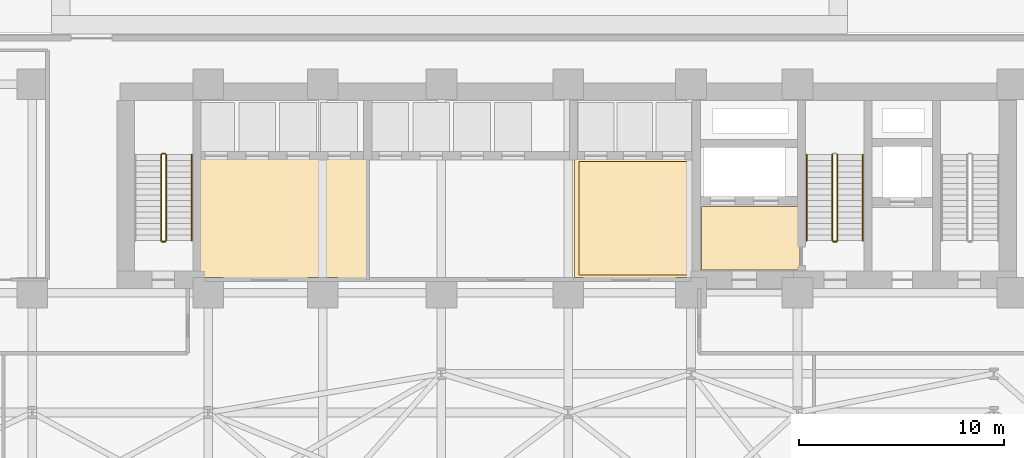
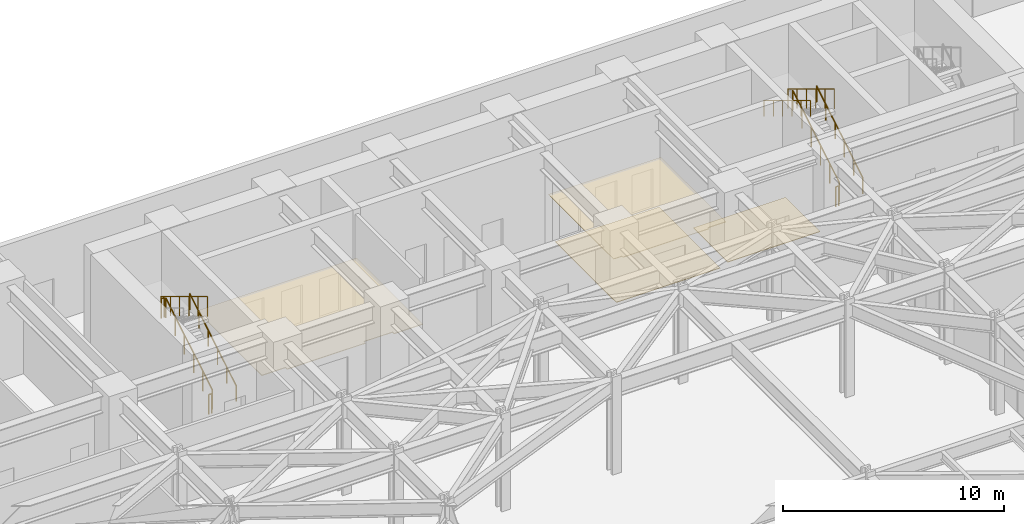
# One storey, part 29 of 31: 10 railings, 4 coverings.
"""IFC4 building model written with IfcOpenShell, lengths in metres."""

from ifc_helpers import new_model, si_unit, direction, frame, origin, origin_2d, place, context, subcontext, project, spatial, polyline, circle, outline, extrude, material, layer, layer_set, type_object, element, save


model = new_model("IFC4")

# Units and contexts
model_context = context("Model", 3, precision=1e-05, world=origin(), true_north=direction((0.0, 1.0)))
body_context = subcontext(model_context, "Body", "Model", "MODEL_VIEW")
ifc_project = project(units=[si_unit("LENGTHUNIT", "METRE"), si_unit("AREAUNIT", "SQUARE_METRE"), si_unit("VOLUMEUNIT", "CUBIC_METRE"), si_unit("PLANEANGLEUNIT", "RADIAN"), si_unit("MASSUNIT", "GRAM", prefix="KILO")], contexts=[model_context])

# Site, building, storey
site_placement = place(None, origin())
site = spatial("IfcSite", under=ifc_project, at=site_placement, CompositionType="ELEMENT")
building_placement = place(site_placement, origin())
building = spatial("IfcBuilding", under=site, at=building_placement, Name="Kravanh Interchange Tower", CompositionType="ELEMENT")
storey_placement = place(building_placement, origin())
storey = spatial("IfcBuildingStorey", under=building, at=storey_placement, Name="L00", CompositionType="ELEMENT", Elevation=0.0)

# Coverings
ifc_material_1 = material(Name="Cementitious Terrazzo Tile")
ifc_layer_1 = layer(ifc_material_1, 0.030029296875)
ifc_layer_set_1 = layer_set([ifc_layer_1], Name="Honed Terrazzo Lobby Flooring 30mm")
covering_type_1 = type_object("IfcCoveringType", Name="Honed Terrazzo Lobby Flooring 30mm", PredefinedType="FLOORING", material=ifc_layer_set_1)
covering_1_placement = place(storey_placement, origin())
element("IfcCovering", 1, at=covering_1_placement, inside=storey, type_object=covering_type_1, Name="L00 Firefighting Lobby Floor Finish", PredefinedType="FLOORING", context=body_context, shape_type="SweptSolid", body=[
    extrude(outline(polyline([(56.1201171875, 38.4599609375), (51.300048828125, 38.4599609375), (51.300048828125, 41.580078125), (56.1201171875, 41.580078125), (56.1201171875, 38.4599609375)])), origin(), (0.0, 0.0, 1.0), 0.030029296875),
])
covering_2_placement = place(storey_placement, origin())
element("IfcCovering", 2, at=covering_2_placement, inside=storey, type_object=covering_type_1, Name="L00 High-Rise Lift Lobby Floor Finish", PredefinedType="FLOORING", context=body_context, shape_type="SweptSolid", body=[
    extrude(outline(polyline([(45.330078125, 43.77001953125), (50.77001953125, 43.77001953125), (50.77001953125, 38.22998046875), (45.330078125, 38.22998046875), (45.330078125, 43.77001953125)])), origin(), (0.0, 0.0, 1.0), 0.030029296875),
])
ifc_material_2 = material(Name="Anodised Bronze Aluminium Acoustic Baffle", Category="aluminium")
ifc_layer_2 = layer(ifc_material_2, 0.034912109375)
ifc_layer_set_2 = layer_set([ifc_layer_2], Name="Linear Bronze Baffle Feature Ceiling 35mm")
covering_type_2 = type_object("IfcCoveringType", Name="Linear Bronze Baffle Feature Ceiling 35mm", PredefinedType="CEILING", material=ifc_layer_set_2)
covering_3_placement = place(storey_placement, frame((0.0, 0.0, 2.550048828125)))
element("IfcCovering", 3, at=covering_3_placement, inside=storey, type_object=covering_type_2, Name="L00 High-Rise Lift Lobby Suspended Ceiling", PredefinedType="CEILING", context=body_context, shape_type="SweptSolid", body=[
    extrude(outline(polyline([(50.989990234375, 38.10009765625), (50.050048828125, 38.10009765625), (50.050048828125, 38.010009765625), (45.550048828125, 38.010009765625), (45.550048828125, 38.10009765625), (45.110107421875, 38.10009765625), (45.110107421875, 43.989990234375), (50.989990234375, 43.989990234375), (50.989990234375, 38.10009765625)])), origin(), (0.0, 0.0, 1.0), 0.034912109375),
])
covering_4_placement = place(storey_placement, frame((0.0, 0.0, 2.550048828125)))
element("IfcCovering", 4, at=covering_4_placement, inside=storey, type_object=covering_type_2, Name="L00 Low-Rise Lift Lobby Suspended Ceiling", PredefinedType="CEILING", context=body_context, shape_type="SweptSolid", body=[
    extrude(outline(polyline([(35.06005859375, 37.9599609375), (33.550048828125, 37.9599609375), (33.550048828125, 38.10009765625), (32.050048828125, 38.10009765625), (32.050048828125, 37.9599609375), (27.949951171875, 37.9599609375), (27.949951171875, 38.10009765625), (26.7099609375, 38.10009765625), (26.7099609375, 43.989990234375), (35.06005859375, 43.989990234375), (35.06005859375, 37.9599609375)])), origin(), (0.0, 0.0, 1.0), 0.034912109375),
])

# Railings
ifc_material_3 = material(Name="Structural Steel S355", Category="steel")
ifc_layer_3 = layer(ifc_material_3, 0.050048828125)
ifc_layer_set_3 = layer_set([ifc_layer_3], Name="Stair Well Guardrail Structural Steel S355 1100mm")
railing_type_1 = type_object("IfcRailingType", Name="Stair Well Guardrail Structural Steel S355 1100mm", PredefinedType="GUARDRAIL", material=ifc_layer_set_3)
railing_1_placement = place(storey_placement, frame((57.949951171875, 39.89990234375, 0.168701171875)))
element("IfcRailing", 5, at=railing_1_placement, inside=storey, type_object=railing_type_1, Name="L00 ST2 stair guard 1", PredefinedType="GUARDRAIL", context=body_context, shape_type="SweptSolid", body=[
    extrude(circle(Radius=0.02392578125, at=origin_2d()), frame((0.0, 0.0, 1.076171875), z_axis=(0.0, 0.856489757249, 0.516164020179), x_axis=(-1.0, 0.0, 0.0)), (0.0, 0.0, 1.0), 4.904052734375),
    extrude(circle(Radius=0.02099609375, at=origin_2d()), origin(), (0.0, 0.0, 1.0), 1.052001953125),
    extrude(circle(Radius=0.02099609375, at=origin_2d()), frame((0.0, 0.840087890625, 0.50634765625)), (0.0, 0.0, 1.0), 1.052001953125),
    extrude(circle(Radius=0.02099609375, at=origin_2d()), frame((0.0, 1.68017578125, 1.012451171875)), (0.0, 0.0, 1.0), 1.052001953125),
    extrude(circle(Radius=0.02099609375, at=origin_2d()), frame((0.0, 2.52001953125, 1.518798828125)), (0.0, 0.0, 1.0), 1.052001953125),
    extrude(circle(Radius=0.02099609375, at=origin_2d()), frame((0.0, 3.360107421875, 2.02490234375)), (0.0, 0.0, 1.0), 1.052001953125),
    extrude(circle(Radius=0.02099609375, at=origin_2d()), frame((0.0, 4.2001953125, 2.53125)), (0.0, 0.0, 1.0), 1.052001953125),
])
railing_2_placement = place(storey_placement, frame((57.699951171875, 44.10009765625, 2.86865234375)))
element("IfcRailing", 6, at=railing_2_placement, inside=storey, type_object=railing_type_1, Name="L00 ST2 stair guard 3", PredefinedType="GUARDRAIL", context=body_context, shape_type="SweptSolid", body=[
    extrude(circle(Radius=0.02392578125, at=origin_2d()), frame((0.0, 0.0, 1.076171875), z_axis=(0.0, -0.856489757249, 0.516164020179), x_axis=(1.0, 0.0, 0.0)), (0.0, 0.0, 1.0), 4.904052734375),
    extrude(circle(Radius=0.02099609375, at=origin_2d()), origin(), (0.0, 0.0, 1.0), 1.052001953125),
    extrude(circle(Radius=0.02099609375, at=origin_2d()), frame((0.0, -0.840087890625, 0.50634765625)), (0.0, 0.0, 1.0), 1.052001953125),
    extrude(circle(Radius=0.02099609375, at=origin_2d()), frame((0.0, -1.68017578125, 1.012451171875)), (0.0, 0.0, 1.0), 1.052001953125),
    extrude(circle(Radius=0.02099609375, at=origin_2d()), frame((0.0, -2.52001953125, 1.518798828125)), (0.0, 0.0, 1.0), 1.052001953125),
    extrude(circle(Radius=0.02099609375, at=origin_2d()), frame((0.0, -3.360107421875, 2.02490234375)), (0.0, 0.0, 1.0), 1.052001953125),
    extrude(circle(Radius=0.02099609375, at=origin_2d()), frame((0.0, -4.2001953125, 2.53125)), (0.0, 0.0, 1.0), 1.052001953125),
])
railing_3_placement = place(storey_placement, frame((57.89990234375, 39.85009765625, 0.0)))
element("IfcRailing", 7, at=railing_3_placement, inside=storey, type_object=railing_type_1, Name="L00 ST2 stair guard 4", PredefinedType="GUARDRAIL", context=body_context, shape_type="SweptSolid", body=[
    extrude(circle(Radius=0.02392578125, at=origin_2d()), frame((0.0, 0.0, 1.076171875), z_axis=(-1.0, 0.0, 0.0), x_axis=(0.0, -1.0, 0.0)), (0.0, 0.0, 1.0), 0.14990234375),
    extrude(circle(Radius=0.02099609375, at=origin_2d()), origin(), (0.0, 0.0, 1.0), 1.052001953125),
    extrude(circle(Radius=0.02099609375, at=origin_2d()), frame((-0.14990234375, 0.0, 0.0)), (0.0, 0.0, 1.0), 1.052001953125),
])
railing_4_placement = place(storey_placement, frame((25.14990234375, 39.89990234375, 0.168701171875)))
element("IfcRailing", 8, at=railing_4_placement, inside=storey, type_object=railing_type_1, Name="L00 ST3 stair guard 1", PredefinedType="GUARDRAIL", context=body_context, shape_type="SweptSolid", body=[
    extrude(circle(Radius=0.02392578125, at=origin_2d()), frame((0.0, 0.0, 1.076171875), z_axis=(0.0, 0.856489757249, 0.516164020179), x_axis=(-1.0, 0.0, 0.0)), (0.0, 0.0, 1.0), 4.904052734375),
    extrude(circle(Radius=0.02099609375, at=origin_2d()), origin(), (0.0, 0.0, 1.0), 1.052001953125),
    extrude(circle(Radius=0.02099609375, at=origin_2d()), frame((0.0, 0.840087890625, 0.50634765625)), (0.0, 0.0, 1.0), 1.052001953125),
    extrude(circle(Radius=0.02099609375, at=origin_2d()), frame((0.0, 1.68017578125, 1.012451171875)), (0.0, 0.0, 1.0), 1.052001953125),
    extrude(circle(Radius=0.02099609375, at=origin_2d()), frame((0.0, 2.52001953125, 1.518798828125)), (0.0, 0.0, 1.0), 1.052001953125),
    extrude(circle(Radius=0.02099609375, at=origin_2d()), frame((0.0, 3.360107421875, 2.02490234375)), (0.0, 0.0, 1.0), 1.052001953125),
    extrude(circle(Radius=0.02099609375, at=origin_2d()), frame((0.0, 4.2001953125, 2.53125)), (0.0, 0.0, 1.0), 1.052001953125),
])
railing_5_placement = place(storey_placement, frame((25.10009765625, 44.14990234375, 2.699951171875)))
element("IfcRailing", 9, at=railing_5_placement, inside=storey, type_object=railing_type_1, Name="L00 ST3 stair guard 2", PredefinedType="GUARDRAIL", context=body_context, shape_type="SweptSolid", body=[
    extrude(circle(Radius=0.02392578125, at=origin_2d()), frame((0.0, 0.0, 1.076171875), z_axis=(-1.0, 0.0, 0.0), x_axis=(0.0, -1.0, 0.0)), (0.0, 0.0, 1.0), 0.150146484375),
    extrude(circle(Radius=0.02099609375, at=origin_2d()), origin(), (0.0, 0.0, 1.0), 1.052001953125),
    extrude(circle(Radius=0.02099609375, at=origin_2d()), frame((-0.150146484375, 0.0, 0.0)), (0.0, 0.0, 1.0), 1.052001953125),
])
railing_6_placement = place(storey_placement, frame((24.89990234375, 44.10009765625, 2.86865234375)))
element("IfcRailing", 10, at=railing_6_placement, inside=storey, type_object=railing_type_1, Name="L00 ST3 stair guard 3", PredefinedType="GUARDRAIL", context=body_context, shape_type="SweptSolid", body=[
    extrude(circle(Radius=0.02392578125, at=origin_2d()), frame((0.0, 0.0, 1.076171875), z_axis=(0.0, -0.856489757249, 0.516164020179), x_axis=(1.0, 0.0, 0.0)), (0.0, 0.0, 1.0), 4.904052734375),
    extrude(circle(Radius=0.02099609375, at=origin_2d()), origin(), (0.0, 0.0, 1.0), 1.052001953125),
    extrude(circle(Radius=0.02099609375, at=origin_2d()), frame((0.0, -0.840087890625, 0.50634765625)), (0.0, 0.0, 1.0), 1.052001953125),
    extrude(circle(Radius=0.02099609375, at=origin_2d()), frame((0.0, -1.68017578125, 1.012451171875)), (0.0, 0.0, 1.0), 1.052001953125),
    extrude(circle(Radius=0.02099609375, at=origin_2d()), frame((0.0, -2.52001953125, 1.518798828125)), (0.0, 0.0, 1.0), 1.052001953125),
    extrude(circle(Radius=0.02099609375, at=origin_2d()), frame((0.0, -3.360107421875, 2.02490234375)), (0.0, 0.0, 1.0), 1.052001953125),
    extrude(circle(Radius=0.02099609375, at=origin_2d()), frame((0.0, -4.2001953125, 2.53125)), (0.0, 0.0, 1.0), 1.052001953125),
])
railing_7_placement = place(storey_placement, frame((25.10009765625, 39.85009765625, 0.0)))
element("IfcRailing", 11, at=railing_7_placement, inside=storey, type_object=railing_type_1, Name="L00 ST3 stair guard 4", PredefinedType="GUARDRAIL", context=body_context, shape_type="SweptSolid", body=[
    extrude(circle(Radius=0.02392578125, at=origin_2d()), frame((0.0, 0.0, 1.076171875), z_axis=(-1.0, 0.0, 0.0), x_axis=(0.0, -1.0, 0.0)), (0.0, 0.0, 1.0), 0.150146484375),
    extrude(circle(Radius=0.02099609375, at=origin_2d()), origin(), (0.0, 0.0, 1.0), 1.052001953125),
    extrude(circle(Radius=0.02099609375, at=origin_2d()), frame((-0.150146484375, 0.0, 0.0)), (0.0, 0.0, 1.0), 1.052001953125),
])
ifc_material_4 = material(Name="Stainless Steel 304", Category="steel")
ifc_layer_4 = layer(ifc_material_4, 0.044921875)
ifc_layer_set_4 = layer_set([ifc_layer_4], Name="Tubular Stair Handrail Stainless 304 900mm")
railing_type_2 = type_object("IfcRailingType", Name="Tubular Stair Handrail Stainless 304 900mm", PredefinedType="HANDRAIL", material=ifc_layer_set_4)
railing_8_placement = place(storey_placement, frame((59.199951171875, 39.89990234375, 0.168701171875)))
element("IfcRailing", 12, at=railing_8_placement, inside=storey, type_object=railing_type_2, Name="L00 ST2 stair handrail 1", PredefinedType="HANDRAIL", context=body_context, shape_type="SweptSolid", body=[
    extrude(circle(Radius=0.02392578125, at=origin_2d()), frame((0.0, 0.0, 0.8759765625), z_axis=(0.0, 0.856489757249, 0.516164020179), x_axis=(-1.0, 0.0, 0.0)), (0.0, 0.0, 1.0), 4.904052734375),
    extrude(circle(Radius=0.02099609375, at=origin_2d()), origin(), (0.0, 0.0, 1.0), 0.851806640625),
    extrude(circle(Radius=0.02099609375, at=origin_2d()), frame((0.0, 0.840087890625, 0.50634765625)), (0.0, 0.0, 1.0), 0.851806640625),
    extrude(circle(Radius=0.02099609375, at=origin_2d()), frame((0.0, 1.68017578125, 1.012451171875)), (0.0, 0.0, 1.0), 0.851806640625),
    extrude(circle(Radius=0.02099609375, at=origin_2d()), frame((0.0, 2.52001953125, 1.518798828125)), (0.0, 0.0, 1.0), 0.851806640625),
    extrude(circle(Radius=0.02099609375, at=origin_2d()), frame((0.0, 3.360107421875, 2.02490234375)), (0.0, 0.0, 1.0), 0.851806640625),
    extrude(circle(Radius=0.02099609375, at=origin_2d()), frame((0.0, 4.2001953125, 2.53125)), (0.0, 0.0, 1.0), 0.851806640625),
])
railing_9_placement = place(storey_placement, frame((56.449951171875, 44.10009765625, 2.86865234375)))
element("IfcRailing", 13, at=railing_9_placement, inside=storey, type_object=railing_type_2, Name="L00 ST2 stair handrail 2", PredefinedType="HANDRAIL", context=body_context, shape_type="SweptSolid", body=[
    extrude(circle(Radius=0.02392578125, at=origin_2d()), frame((0.0, 0.0, 0.8759765625), z_axis=(0.0, -0.856489757249, 0.516164020179), x_axis=(1.0, 0.0, 0.0)), (0.0, 0.0, 1.0), 4.904052734375),
    extrude(circle(Radius=0.02099609375, at=origin_2d()), origin(), (0.0, 0.0, 1.0), 0.851806640625),
    extrude(circle(Radius=0.02099609375, at=origin_2d()), frame((0.0, -0.840087890625, 0.50634765625)), (0.0, 0.0, 1.0), 0.851806640625),
    extrude(circle(Radius=0.02099609375, at=origin_2d()), frame((0.0, -1.68017578125, 1.012451171875)), (0.0, 0.0, 1.0), 0.851806640625),
    extrude(circle(Radius=0.02099609375, at=origin_2d()), frame((0.0, -2.52001953125, 1.518798828125)), (0.0, 0.0, 1.0), 0.851806640625),
    extrude(circle(Radius=0.02099609375, at=origin_2d()), frame((0.0, -3.360107421875, 2.02490234375)), (0.0, 0.0, 1.0), 0.851806640625),
    extrude(circle(Radius=0.02099609375, at=origin_2d()), frame((0.0, -4.2001953125, 2.53125)), (0.0, 0.0, 1.0), 0.851806640625),
])
railing_10_placement = place(storey_placement, frame((26.39990234375, 39.89990234375, 0.168701171875)))
element("IfcRailing", 14, at=railing_10_placement, inside=storey, type_object=railing_type_2, Name="L00 ST3 stair handrail 1", PredefinedType="HANDRAIL", context=body_context, shape_type="SweptSolid", body=[
    extrude(circle(Radius=0.02392578125, at=origin_2d()), frame((0.0, 0.0, 0.8759765625), z_axis=(0.0, 0.856489757249, 0.516164020179), x_axis=(-1.0, 0.0, 0.0)), (0.0, 0.0, 1.0), 4.904052734375),
    extrude(circle(Radius=0.02099609375, at=origin_2d()), origin(), (0.0, 0.0, 1.0), 0.851806640625),
    extrude(circle(Radius=0.02099609375, at=origin_2d()), frame((0.0, 0.840087890625, 0.50634765625)), (0.0, 0.0, 1.0), 0.851806640625),
    extrude(circle(Radius=0.02099609375, at=origin_2d()), frame((0.0, 1.68017578125, 1.012451171875)), (0.0, 0.0, 1.0), 0.851806640625),
    extrude(circle(Radius=0.02099609375, at=origin_2d()), frame((0.0, 2.52001953125, 1.518798828125)), (0.0, 0.0, 1.0), 0.851806640625),
    extrude(circle(Radius=0.02099609375, at=origin_2d()), frame((0.0, 3.360107421875, 2.02490234375)), (0.0, 0.0, 1.0), 0.851806640625),
    extrude(circle(Radius=0.02099609375, at=origin_2d()), frame((0.0, 4.2001953125, 2.53125)), (0.0, 0.0, 1.0), 0.851806640625),
])

save(model, "model.ifc")
